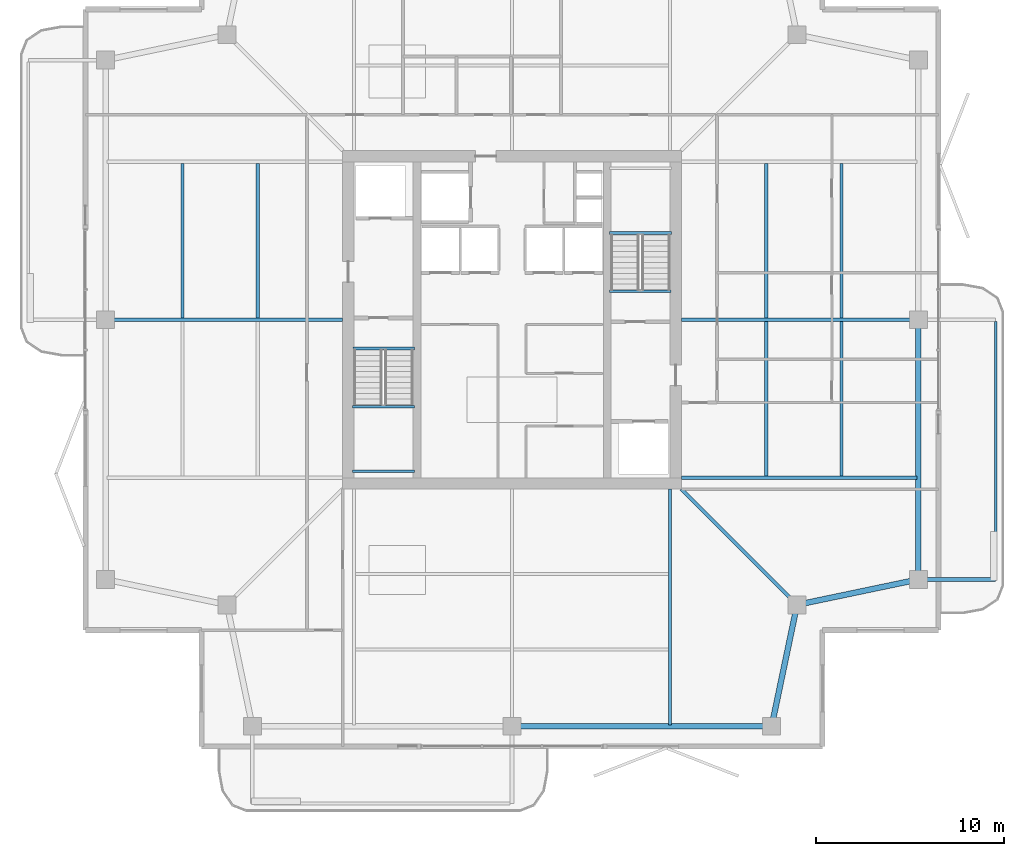
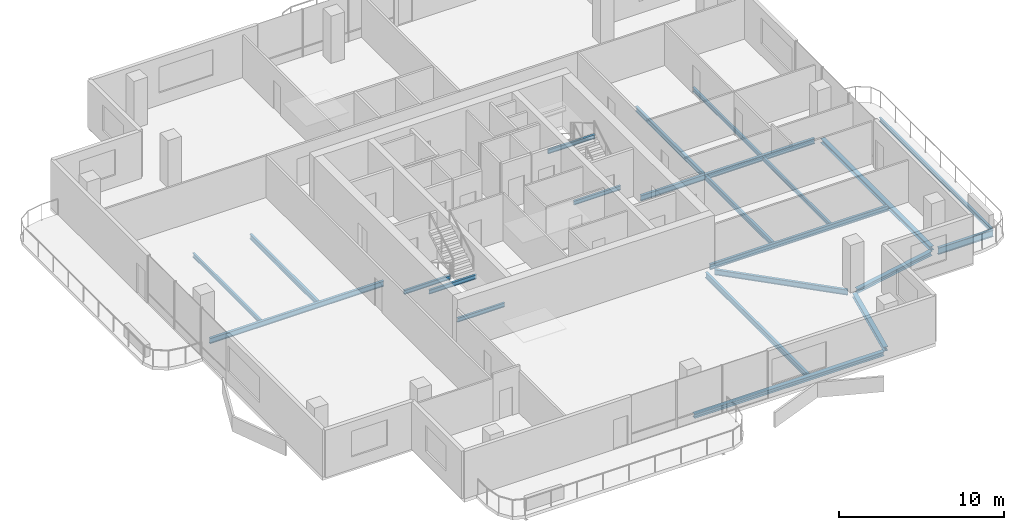
# One storey, part 7 of 17: 22 beams.
"""IFC4 building model written with IfcOpenShell, lengths in metres."""

from ifc_helpers import new_model, si_unit, direction, frame, origin, origin_2d, place, context, subcontext, project, spatial, i_section, extrude, material, material_profile, profile_set, type_object, element, save


model = new_model("IFC4")

# Units and contexts
model_context = context("Model", 3, precision=1e-05, world=origin(), true_north=direction((0.0, 1.0)))
body_context = subcontext(model_context, "Body", "Model", "MODEL_VIEW")
ifc_project = project(units=[si_unit("LENGTHUNIT", "METRE"), si_unit("AREAUNIT", "SQUARE_METRE"), si_unit("VOLUMEUNIT", "CUBIC_METRE"), si_unit("PLANEANGLEUNIT", "RADIAN"), si_unit("MASSUNIT", "GRAM", prefix="KILO")], contexts=[model_context])

# Site, building, storey
site_placement = place(None, origin())
site = spatial("IfcSite", under=ifc_project, at=site_placement, CompositionType="ELEMENT")
building_placement = place(site_placement, origin())
building = spatial("IfcBuilding", under=site, at=building_placement, Name="Belovzor Exchange Tower", CompositionType="ELEMENT")
storey_placement = place(building_placement, frame((0.0, 0.0, 303.0)))
storey = spatial("IfcBuildingStorey", under=building, at=storey_placement, Name="L75", CompositionType="ELEMENT", Elevation=303.0)

# Beams
ifc_material_1 = material(Name="Steel S355", Category="steel")
ifc_material_profile_1 = material_profile(ifc_material_1, i_section(OverallWidth=0.199951171875, OverallDepth=0.5, WebThickness=0.01025390625, FlangeThickness=0.01611328125, at=origin_2d()))
ifc_profile_set_1 = profile_set([ifc_material_profile_1], Name="Steel S355")
beam_type_1 = type_object("IfcBeamType", Name="Planted Balcony Cantilever Beam IPE 500", PredefinedType="BEAM", material=ifc_profile_set_1)
beam_1_placement = place(storey_placement, frame((50.660888671875, 15.0, -0.489990234375), z_axis=(1.0, 0.0, 0.0), x_axis=(0.0, 1.0, 0.0)))
element("IfcBeam", 1, at=beam_1_placement, inside=storey, type_object=beam_type_1, Name="BC-500 Planted Balcony Cantilever Beam IPE 500", PredefinedType="BEAM", context=body_context, shape_type="SweptSolid", body=[
    extrude(i_section(OverallWidth=0.199951171875, OverallDepth=0.5, WebThickness=0.01025390625, FlangeThickness=0.01611328125, at=origin_2d()), origin(), (0.0, 0.0, 1.0), 3.85009765625),
])
ifc_material_2 = material(Name="Steel S355", Category="steel")
ifc_material_profile_2 = material_profile(ifc_material_2, i_section(OverallWidth=0.14990234375, OverallDepth=0.300048828125, WebThickness=0.007080078125, FlangeThickness=0.0107421875, at=origin_2d()))
ifc_profile_set_2 = profile_set([ifc_material_profile_2], Name="Steel S355")
beam_type_2 = type_object("IfcBeamType", Name="Planted Balcony Fascia Edge Beam IPE 300", PredefinedType="BEAM", material=ifc_profile_set_2)
beam_2_placement = place(storey_placement, frame((54.510986328125, 15.10009765625, -0.389892578125), z_axis=(0.0, 1.0, 0.0), x_axis=(-1.0, 0.0, 0.0)))
element("IfcBeam", 2, at=beam_2_placement, inside=storey, type_object=beam_type_2, Name="BC-300 Planted Balcony Fascia Edge Beam IPE 300", PredefinedType="BEAM", context=body_context, shape_type="SweptSolid", body=[
    extrude(i_section(OverallWidth=0.14990234375, OverallDepth=0.300048828125, WebThickness=0.007080078125, FlangeThickness=0.0107421875, at=origin_2d()), origin(), (0.0, 0.0, 1.0), 13.599853515625),
])
ifc_material_3 = material(Name="Steel S355", Category="steel")
ifc_material_profile_3 = material_profile(ifc_material_3, i_section(OverallWidth=0.169921875, OverallDepth=0.360107421875, WebThickness=0.008056640625, FlangeThickness=0.0126953125, at=origin_2d()))
ifc_profile_set_3 = profile_set([ifc_material_profile_3], Name="Steel S355")
beam_type_3 = type_object("IfcBeamType", Name="Secondary Infill Floor Joist IPE 360", PredefinedType="BEAM", material=ifc_profile_set_3)
beam_3_placement = place(storey_placement, frame((15.291015625, 28.889892578125, -0.419921875), z_axis=(0.0, 1.0, 0.0), x_axis=(-1.0, 0.0, 0.0)))
element("IfcBeam", 3, at=beam_3_placement, inside=storey, type_object=beam_type_3, Name="FJ-360 Secondary Infill Floor Joist IPE 360", PredefinedType="BEAM", context=body_context, shape_type="SweptSolid", body=[
    extrude(i_section(OverallWidth=0.169921875, OverallDepth=0.360107421875, WebThickness=0.008056640625, FlangeThickness=0.0126953125, at=origin_2d()), origin(), (0.0, 0.0, 1.0), 8.22021484375),
])
beam_4_placement = place(storey_placement, frame((42.30908203125, 20.489990234375, -0.419921875), z_axis=(0.0, 1.0, 0.0), x_axis=(-1.0, 0.0, 0.0)))
element("IfcBeam", 4, at=beam_4_placement, inside=storey, type_object=beam_type_3, Name="FJ-360 Secondary Infill Floor Joist IPE 360", PredefinedType="BEAM", context=body_context, shape_type="SweptSolid", body=[
    extrude(i_section(OverallWidth=0.169921875, OverallDepth=0.360107421875, WebThickness=0.008056640625, FlangeThickness=0.0126953125, at=origin_2d()), origin(), (0.0, 0.0, 1.0), 8.219970703125),
])
beam_5_placement = place(storey_placement, frame((42.30908203125, 28.889892578125, -0.419921875), z_axis=(0.0, 1.0, 0.0), x_axis=(-1.0, 0.0, 0.0)))
element("IfcBeam", 5, at=beam_5_placement, inside=storey, type_object=beam_type_3, Name="FJ-360 Secondary Infill Floor Joist IPE 360", PredefinedType="BEAM", context=body_context, shape_type="SweptSolid", body=[
    extrude(i_section(OverallWidth=0.169921875, OverallDepth=0.360107421875, WebThickness=0.008056640625, FlangeThickness=0.0126953125, at=origin_2d()), origin(), (0.0, 0.0, 1.0), 8.22021484375),
])
ifc_material_4 = material(Name="Steel S355", Category="steel")
ifc_material_profile_4 = material_profile(ifc_material_4, i_section(OverallWidth=0.14990234375, OverallDepth=0.300048828125, WebThickness=0.007080078125, FlangeThickness=0.0107421875, at=origin_2d()))
ifc_profile_set_4 = profile_set([ifc_material_profile_4], Name="Steel S355")
beam_type_4 = type_object("IfcBeamType", Name="Secondary Trim Floor Joist IPE 300", PredefinedType="BEAM", material=ifc_profile_set_4)
for number, where, z_axis, x_axis, name in (
    (6, (20.320068359375, 24.179931640625, 1.52490234375), (1.0, 0.0, 0.0), (0.0, 1.0, 0.0), "FJ-300 Secondary Trim Floor Joist IPE 300"),
    (7, (20.320068359375, 20.75, 1.52490234375), (1.0, 0.0, 0.0), (0.0, 1.0, 0.0), "FJ-300 Secondary Trim Floor Joist IPE 300"),
):
    element("IfcBeam", number, at=place(storey_placement, frame(where, z_axis=z_axis, x_axis=x_axis)), inside=storey, type_object=beam_type_4, Name=name, PredefinedType="BEAM", context=body_context, shape_type="SweptSolid", body=[
        extrude(i_section(OverallWidth=0.14990234375, OverallDepth=0.300048828125, WebThickness=0.007080078125, FlangeThickness=0.0107421875, at=origin_2d()), origin(), (0.0, 0.0, 1.0), 3.309814453125),
    ])
beam_6_placement = place(storey_placement, frame((20.340087890625, 27.280029296875, -0.389892578125), z_axis=(1.0, 0.0, 0.0), x_axis=(0.0, 1.0, 0.0)))
element("IfcBeam", 8, at=beam_6_placement, inside=storey, type_object=beam_type_4, Name="FJ-300 Secondary Trim Floor Joist IPE 300", PredefinedType="BEAM", context=body_context, shape_type="SweptSolid", body=[
    extrude(i_section(OverallWidth=0.14990234375, OverallDepth=0.300048828125, WebThickness=0.007080078125, FlangeThickness=0.0107421875, at=origin_2d()), origin(), (0.0, 0.0, 1.0), 3.27001953125),
])
beam_7_placement = place(storey_placement, frame((37.280029296875, 33.419921875, 1.52490234375), z_axis=(-1.0, 0.0, 0.0), x_axis=(0.0, -1.0, 0.0)))
element("IfcBeam", 9, at=beam_7_placement, inside=storey, type_object=beam_type_4, Name="FJ-300 Secondary Trim Floor Joist IPE 300", PredefinedType="BEAM", context=body_context, shape_type="SweptSolid", body=[
    extrude(i_section(OverallWidth=0.14990234375, OverallDepth=0.300048828125, WebThickness=0.007080078125, FlangeThickness=0.0107421875, at=origin_2d()), origin(), (0.0, 0.0, 1.0), 3.31005859375),
])
beam_8_placement = place(storey_placement, frame((37.260009765625, 30.320068359375, -0.389892578125), z_axis=(-1.0, 0.0, 0.0), x_axis=(0.0, -1.0, 0.0)))
element("IfcBeam", 10, at=beam_8_placement, inside=storey, type_object=beam_type_4, Name="FJ-300 Secondary Trim Floor Joist IPE 300", PredefinedType="BEAM", context=body_context, shape_type="SweptSolid", body=[
    extrude(i_section(OverallWidth=0.14990234375, OverallDepth=0.300048828125, WebThickness=0.007080078125, FlangeThickness=0.0107421875, at=origin_2d()), origin(), (0.0, 0.0, 1.0), 3.27001953125),
])
beam_9_placement = place(storey_placement, frame((11.282958984375, 28.889892578125, -0.389892578125), z_axis=(0.0, 1.0, 0.0), x_axis=(-1.0, 0.0, 0.0)))
element("IfcBeam", 11, at=beam_9_placement, inside=storey, type_object=beam_type_4, Name="FJ-300 Secondary Trim Floor Joist IPE 300", PredefinedType="BEAM", context=body_context, shape_type="SweptSolid", body=[
    extrude(i_section(OverallWidth=0.14990234375, OverallDepth=0.300048828125, WebThickness=0.007080078125, FlangeThickness=0.0107421875, at=origin_2d()), origin(), (0.0, 0.0, 1.0), 8.22021484375),
])
beam_10_placement = place(storey_placement, frame((46.31689453125, 20.489990234375, -0.389892578125), z_axis=(0.0, 1.0, 0.0), x_axis=(-1.0, 0.0, 0.0)))
element("IfcBeam", 12, at=beam_10_placement, inside=storey, type_object=beam_type_4, Name="FJ-300 Secondary Trim Floor Joist IPE 300", PredefinedType="BEAM", context=body_context, shape_type="SweptSolid", body=[
    extrude(i_section(OverallWidth=0.14990234375, OverallDepth=0.300048828125, WebThickness=0.007080078125, FlangeThickness=0.0107421875, at=origin_2d()), origin(), (0.0, 0.0, 1.0), 8.219970703125),
])
beam_11_placement = place(storey_placement, frame((46.31689453125, 28.889892578125, -0.389892578125), z_axis=(0.0, 1.0, 0.0), x_axis=(-1.0, 0.0, 0.0)))
element("IfcBeam", 13, at=beam_11_placement, inside=storey, type_object=beam_type_4, Name="FJ-300 Secondary Trim Floor Joist IPE 300", PredefinedType="BEAM", context=body_context, shape_type="SweptSolid", body=[
    extrude(i_section(OverallWidth=0.14990234375, OverallDepth=0.300048828125, WebThickness=0.007080078125, FlangeThickness=0.0107421875, at=origin_2d()), origin(), (0.0, 0.0, 1.0), 8.22021484375),
])
ifc_material_5 = material(Name="Steel S355", Category="steel")
ifc_material_profile_5 = material_profile(ifc_material_5, i_section(OverallWidth=0.179931640625, OverallDepth=0.39990234375, WebThickness=0.008544921875, FlangeThickness=0.013427734375, at=origin_2d()))
ifc_profile_set_5 = profile_set([ifc_material_profile_5], Name="Steel S355")
beam_type_5 = type_object("IfcBeamType", Name="Zone 5-6 Radial Composite Floor Beam IPE 400", PredefinedType="BEAM", material=ifc_profile_set_5)
beam_12_placement = place(storey_placement, frame((37.199951171875, 19.800048828125, -0.43994140625), z_axis=(0.0, -1.0, 0.0), x_axis=(1.0, 0.0, 0.0)))
element("IfcBeam", 14, at=beam_12_placement, inside=storey, type_object=beam_type_5, Name="FB-400 Zone 5-6 Radial Composite Floor Beam IPE 400", PredefinedType="BEAM", context=body_context, shape_type="SweptSolid", body=[
    extrude(i_section(OverallWidth=0.179931640625, OverallDepth=0.39990234375, WebThickness=0.008544921875, FlangeThickness=0.013427734375, at=origin_2d()), origin(), (0.0, 0.0, 1.0), 12.525146484375),
])
beam_13_placement = place(storey_placement, frame((19.800048828125, 28.800048828125, -0.43994140625), z_axis=(-1.0, 0.0, 0.0), x_axis=(0.0, -1.0, 0.0)))
element("IfcBeam", 15, at=beam_13_placement, inside=storey, type_object=beam_type_5, Name="FB-400 Zone 5-6 Radial Composite Floor Beam IPE 400", PredefinedType="BEAM", context=body_context, shape_type="SweptSolid", body=[
    extrude(i_section(OverallWidth=0.179931640625, OverallDepth=0.39990234375, WebThickness=0.008544921875, FlangeThickness=0.013427734375, at=origin_2d()), origin(), (0.0, 0.0, 1.0), 12.18212890625),
])
beam_14_placement = place(storey_placement, frame((37.800048828125, 20.39990234375, -0.43994140625), z_axis=(1.0, 0.0, 0.0), x_axis=(0.0, 1.0, 0.0)))
element("IfcBeam", 16, at=beam_14_placement, inside=storey, type_object=beam_type_5, Name="FB-400 Zone 5-6 Radial Composite Floor Beam IPE 400", PredefinedType="BEAM", context=body_context, shape_type="SweptSolid", body=[
    extrude(i_section(OverallWidth=0.179931640625, OverallDepth=0.39990234375, WebThickness=0.008544921875, FlangeThickness=0.013427734375, at=origin_2d()), origin(), (0.0, 0.0, 1.0), 12.52490234375),
])
beam_15_placement = place(storey_placement, frame((37.800048828125, 28.800048828125, -0.43994140625), z_axis=(1.0, 0.0, 0.0), x_axis=(0.0, 1.0, 0.0)))
element("IfcBeam", 17, at=beam_15_placement, inside=storey, type_object=beam_type_5, Name="FB-400 Zone 5-6 Radial Composite Floor Beam IPE 400", PredefinedType="BEAM", context=body_context, shape_type="SweptSolid", body=[
    extrude(i_section(OverallWidth=0.179931640625, OverallDepth=0.39990234375, WebThickness=0.008544921875, FlangeThickness=0.013427734375, at=origin_2d()), origin(), (0.0, 0.0, 1.0), 12.181884765625),
])
beam_16_placement = place(storey_placement, frame((37.800048828125, 19.800048828125, -0.43994140625), z_axis=(0.707150577091, -0.707062982569, 0.0), x_axis=(0.707062982569, 0.707150577091, 0.0)))
element("IfcBeam", 18, at=beam_16_placement, inside=storey, type_object=beam_type_5, Name="FB-400 Zone 5-6 Radial Composite Floor Beam IPE 400", PredefinedType="BEAM", context=body_context, shape_type="SweptSolid", body=[
    extrude(i_section(OverallWidth=0.179931640625, OverallDepth=0.39990234375, WebThickness=0.008544921875, FlangeThickness=0.013427734375, at=origin_2d()), origin(), (0.0, 0.0, 1.0), 8.361572265625),
])
ifc_material_6 = material(Name="Steel S355", Category="steel")
ifc_material_profile_6 = material_profile(ifc_material_6, i_section(OverallWidth=0.300048828125, OverallDepth=0.300048828125, WebThickness=0.008544921875, FlangeThickness=0.013916015625, at=origin_2d()))
ifc_profile_set_6 = profile_set([ifc_material_profile_6], Name="Steel S355")
beam_type_6 = type_object("IfcBeamType", Name="Zone 6 Primary Girder HEA 300", PredefinedType="BEAM", material=ifc_profile_set_6)
beam_17_placement = place(storey_placement, frame((29.06103515625, 7.199951171875, -0.389892578125), z_axis=(1.0, 0.0, 0.0), x_axis=(0.0, 1.0, 0.0)))
element("IfcBeam", 19, at=beam_17_placement, inside=storey, type_object=beam_type_6, Name="FG-Z6 Zone 6 Primary Girder HEA 300", PredefinedType="BEAM", context=body_context, shape_type="SweptSolid", body=[
    extrude(i_section(OverallWidth=0.300048828125, OverallDepth=0.300048828125, WebThickness=0.008544921875, FlangeThickness=0.013916015625, at=origin_2d()), origin(), (0.0, 0.0, 1.0), 13.278076171875),
])
for number, where, z_axis, x_axis, name in (
    (20, (42.654052734375, 7.4560546875, -0.389892578125), (0.204722380619, 0.978820078908, 0.0), (-0.978820078908, 0.204722380619, 0.0), "FG-Z6 Zone 6 Primary Girder HEA 300"),
    (21, (44.2060546875, 13.7041015625, -0.389892578125), (0.978820078908, 0.204722380619, 0.0), (-0.204722380619, 0.978820078908, 0.0), "FG-Z6 Zone 6 Primary Girder HEA 300"),
):
    element("IfcBeam", number, at=place(storey_placement, frame(where, z_axis=z_axis, x_axis=x_axis)), inside=storey, type_object=beam_type_6, Name=name, PredefinedType="BEAM", context=body_context, shape_type="SweptSolid", body=[
        extrude(i_section(OverallWidth=0.300048828125, OverallDepth=0.300048828125, WebThickness=0.008544921875, FlangeThickness=0.013916015625, at=origin_2d()), origin(), (0.0, 0.0, 1.0), 6.06640625),
    ])
beam_18_placement = place(storey_placement, frame((50.39990234375, 15.260986328125, -0.389892578125), z_axis=(0.0, 1.0, 0.0), x_axis=(-1.0, 0.0, 0.0)))
element("IfcBeam", 22, at=beam_18_placement, inside=storey, type_object=beam_type_6, Name="FG-Z6 Zone 6 Primary Girder HEA 300", PredefinedType="BEAM", context=body_context, shape_type="SweptSolid", body=[
    extrude(i_section(OverallWidth=0.300048828125, OverallDepth=0.300048828125, WebThickness=0.008544921875, FlangeThickness=0.013916015625, at=origin_2d()), origin(), (0.0, 0.0, 1.0), 13.278076171875),
])

save(model, "model.ifc")
